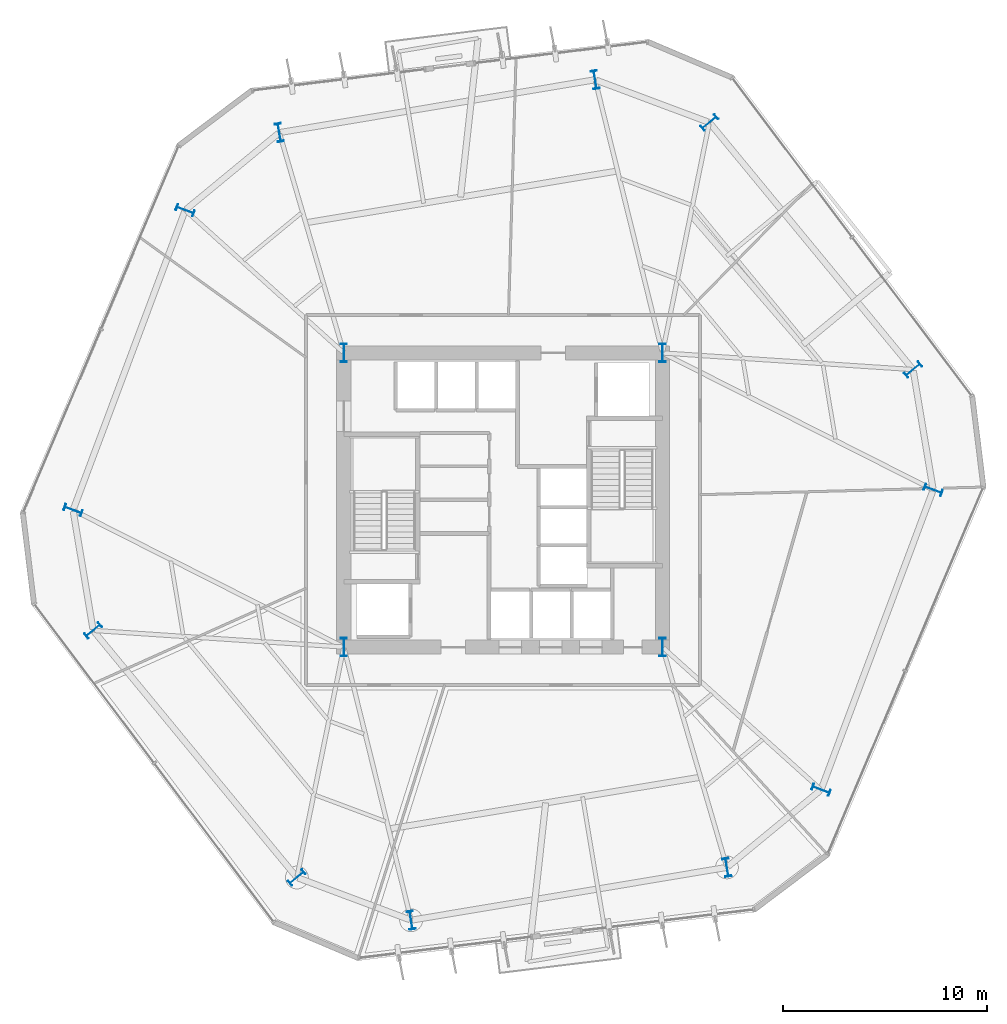
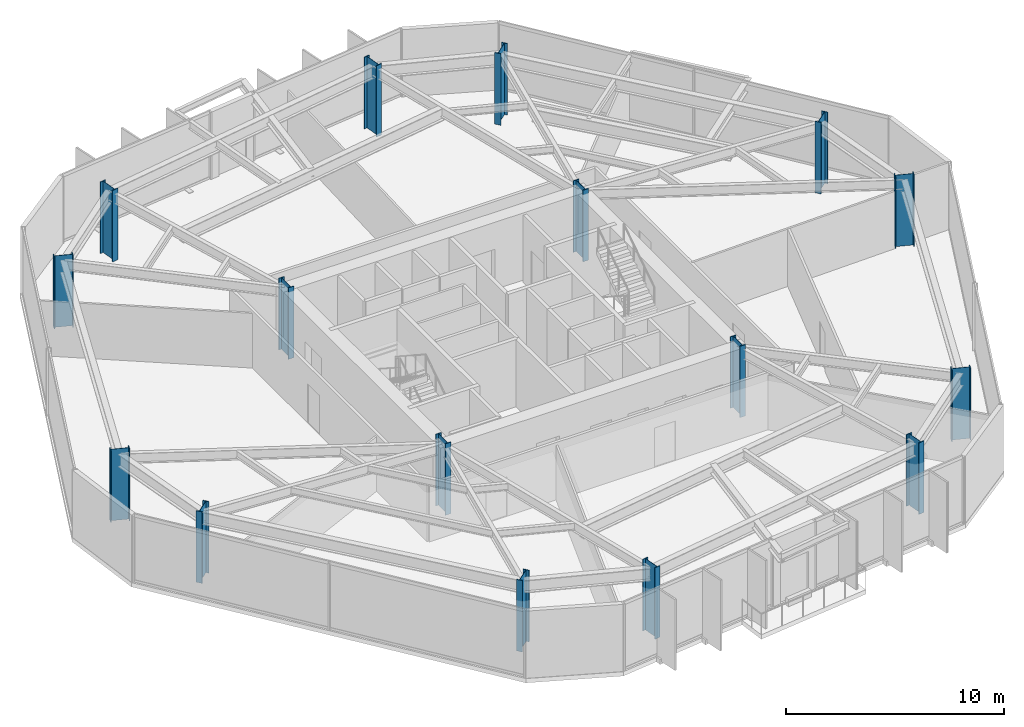
# One storey, part 1 of 11: 16 columns.
"""IFC4 building model written with IfcOpenShell, lengths in metres."""

from ifc_helpers import new_model, si_unit, direction, frame, origin, origin_2d, place, context, subcontext, project, spatial, i_section, extrude, material, material_profile, profile_set, type_object, element, save


model = new_model("IFC4")

# Units and contexts
model_context = context("Model", 3, precision=1e-05, world=origin(), true_north=direction((0.0, 1.0)))
body_context = subcontext(model_context, "Body", "Model", "MODEL_VIEW")
ifc_project = project(units=[si_unit("LENGTHUNIT", "METRE"), si_unit("AREAUNIT", "SQUARE_METRE"), si_unit("VOLUMEUNIT", "CUBIC_METRE"), si_unit("PLANEANGLEUNIT", "RADIAN"), si_unit("MASSUNIT", "GRAM", prefix="KILO")], contexts=[model_context])

# Site, building, storey
site_placement = place(None, origin())
site = spatial("IfcSite", under=ifc_project, at=site_placement, CompositionType="ELEMENT")
building_placement = place(site_placement, origin())
building = spatial("IfcBuilding", under=site, at=building_placement, Name="Kranzbogen Civic Tower", CompositionType="ELEMENT")
storey_placement = place(building_placement, frame((0.0, 0.0, 48.0)))
storey = spatial("IfcBuildingStorey", under=building, at=storey_placement, Name="L11", CompositionType="ELEMENT", Elevation=48.0)

# Columns
ifc_material = material(Name="Steel S460", Category="steel")
ifc_material_profile = material_profile(ifc_material, i_section(OverallWidth=0.302001953125, OverallDepth=0.909912109375, WebThickness=0.02099609375, FlangeThickness=0.0400390625, at=origin_2d()), Name="HEM 900")
ifc_profile_set = profile_set([ifc_material_profile], Name="Steel S460")
column_type = type_object("IfcColumnType", Name="Structural Column HEM 900", PredefinedType="COLUMN", material=ifc_profile_set)
for number, where, z_axis, x_axis, name in (
    (1, (17.199951171875, 17.800048828125, 0.0), (0.0, 0.0, 1.0), (1.0, 0.0, 0.0), "L11 composite core corner column 1"),
    (2, (32.800048828125, 17.800048828125, 0.0), (0.0, 0.0, 1.0), (1.0, 0.0, 0.0), "L11 composite core corner column 2"),
    (3, (32.800048828125, 32.199951171875, 0.0), (0.0, 0.0, 1.0), (1.0, 0.0, 0.0), "L11 composite core corner column 3"),
    (4, (17.199951171875, 32.199951171875, 0.0), (0.0, 0.0, 1.0), (1.0, 0.0, 0.0), "L11 composite core corner column 4"),
    (5, (45.072021484375, 31.385986328125, 0.0), (0.0, 0.0, 1.0), (-0.636078220278, 0.771624583388, 0.0), "L11 tower perimeter tube column 01"),
    (6, (35.09912109375, 43.48388671875, 0.0), (0.0, 0.0, 1.0), (-0.636078220278, 0.771624583388, 0.0), "L11 tower perimeter tube column 02"),
    (7, (29.5048828125, 45.575927734375, 0.0), (0.0, 0.0, 1.0), (0.986285601537, 0.165047605861, 0.0), "L11 tower perimeter tube column 03"),
    (8, (14.0419921875, 42.988037109375, 0.0), (0.0, 0.0, 1.0), (0.986285601537, 0.165047605861, 0.0), "L11 tower perimeter tube column 04"),
    (9, (9.43310546875, 39.18896484375, 0.0), (0.0, 0.0, 1.0), (0.350207381259, 0.936672189248, 0.0), "L11 tower perimeter tube column 05"),
    (10, (3.943115234375, 24.50390625, 0.0), (0.0, 0.0, 1.0), (0.350207381259, 0.936672189248, 0.0), "L11 tower perimeter tube column 06"),
    (11, (4.927978515625, 18.614013671875, 0.0), (0.0, 0.0, 1.0), (-0.636078220278, 0.771624583388, 0.0), "L11 tower perimeter tube column 07"),
    (12, (14.90087890625, 6.51611328125, 0.0), (0.0, 0.0, 1.0), (-0.636078220278, 0.771624583388, 0.0), "L11 tower perimeter tube column 08"),
    (13, (20.4951171875, 4.424072265625, 0.0), (0.0, 0.0, 1.0), (0.986285601537, 0.165047605861, 0.0), "L11 tower perimeter tube column 09"),
    (14, (35.9580078125, 7.011962890625, 0.0), (0.0, 0.0, 1.0), (0.986285601537, 0.165047605861, 0.0), "L11 tower perimeter tube column 10"),
    (15, (40.56689453125, 10.81103515625, 0.0), (0.0, 0.0, 1.0), (0.350207381259, 0.936672189248, 0.0), "L11 tower perimeter tube column 11"),
    (16, (46.056884765625, 25.49609375, 0.0), (0.0, 0.0, 1.0), (0.350207381259, 0.936672189248, 0.0), "L11 tower perimeter tube column 12"),
):
    element("IfcColumn", number, at=place(storey_placement, frame(where, z_axis=z_axis, x_axis=x_axis)), inside=storey, type_object=column_type, Name=name, PredefinedType="COLUMN", context=body_context, shape_type="SweptSolid", body=[
        extrude(i_section(OverallWidth=0.302001953125, OverallDepth=0.909912109375, WebThickness=0.02099609375, FlangeThickness=0.0400390625, at=origin_2d()), origin(), (0.0, 0.0, 1.0), 4.0),
    ])

save(model, "model.ifc")
